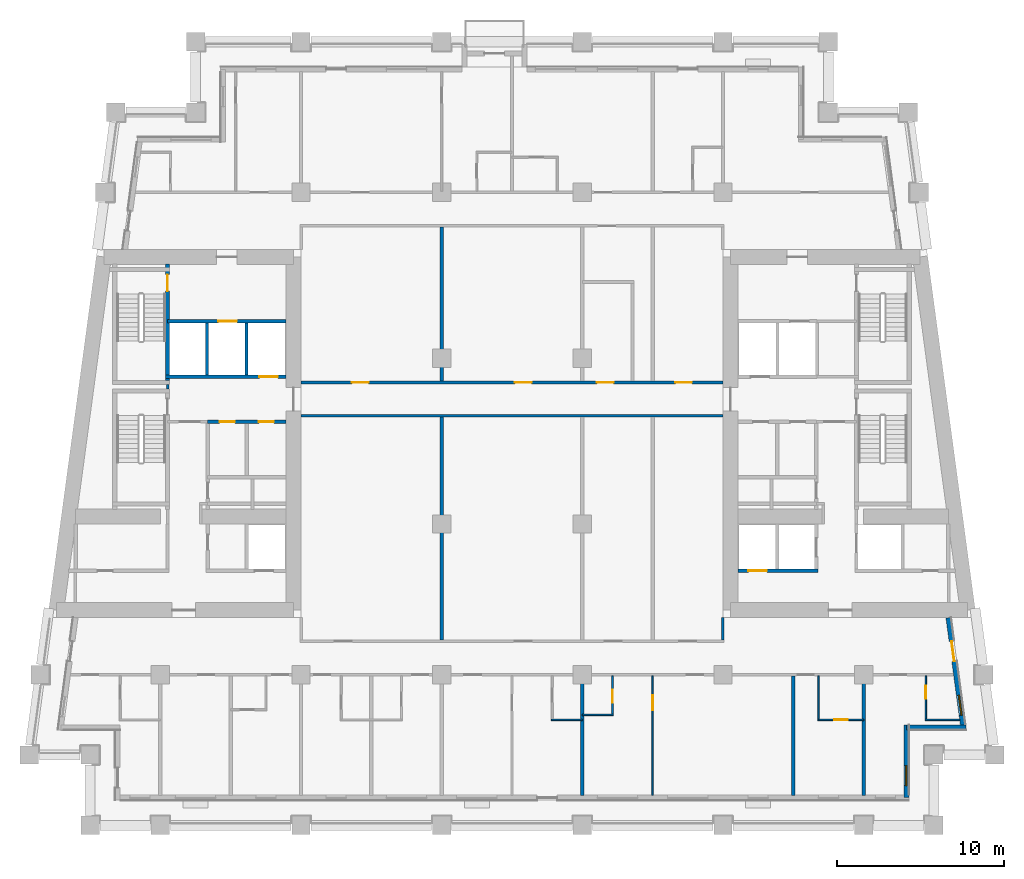
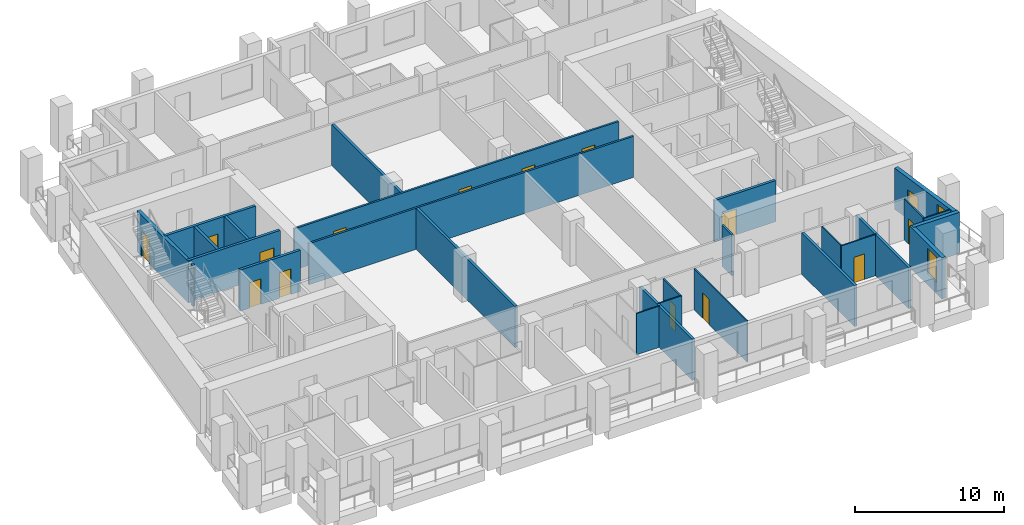
# One storey, part 4 of 12: 27 walls, 15 doors, 2 windows, 17 openings.
"""IFC4 building model written with IfcOpenShell, lengths in metres."""

from ifc_helpers import new_model, si_unit, direction, frame, frame_2d, origin, place, context, subcontext, project, spatial, rectangle, extrude, material, layer, layer_set, type_object, element, fill, save


model = new_model("IFC4")

# Units and contexts
model_context = context("Model", 3, precision=1e-05, world=origin(), true_north=direction((0.0, 1.0)))
body_context = subcontext(model_context, "Body", "Model", "MODEL_VIEW")
ifc_project = project(units=[si_unit("LENGTHUNIT", "METRE"), si_unit("AREAUNIT", "SQUARE_METRE"), si_unit("VOLUMEUNIT", "CUBIC_METRE"), si_unit("PLANEANGLEUNIT", "RADIAN"), si_unit("MASSUNIT", "GRAM", prefix="KILO")], contexts=[model_context])

# Site, building, storey
site_placement = place(None, origin())
site = spatial("IfcSite", under=ifc_project, at=site_placement, CompositionType="ELEMENT")
building_placement = place(site_placement, origin())
building = spatial("IfcBuilding", under=site, at=building_placement, Name="Candeia Pilgrim Tower and Theatre", CompositionType="ELEMENT")
storey_placement = place(building_placement, frame((0.0, 0.0, 147.800048828125)))
storey = spatial("IfcBuildingStorey", under=building, at=storey_placement, Name="L34", CompositionType="ELEMENT", Elevation=147.800048828125)

# Wall, opening, window
ifc_material_1 = material(Name="Ceramic block masonry", Category="masonry")
ifc_layer_1 = layer(ifc_material_1, 0.300048828125)
ifc_layer_set_1 = layer_set([ifc_layer_1], Name="EW1 glazing-line wall 300")
wall_type_1 = type_object("IfcWallType", Name="EW1 glazing-line wall 300", PredefinedType="SOLIDWALL", material=ifc_layer_set_1)
wall_1_placement = place(storey_placement, frame((136.949951171875, 99.64990234375, 0.0), z_axis=(0.0, 0.0, 1.0), x_axis=(0.0, 1.0, 0.0)))
wall_1 = element("IfcWall", 1, at=wall_1_placement, inside=storey, type_object=wall_type_1, Name="External wall L34-1.0", PredefinedType="SOLIDWALL", context=body_context, shape_type="SweptSolid", body=[
    extrude(rectangle(XDim=4.35009765625, YDim=0.300048828125, at=frame_2d((2.175048828125, 0.0))), origin(), (0.0, 0.0, 1.0), 3.3798828125),
])
opening_1_placement = place(wall_1_placement, frame((0.72509765625, 0.0, 0.89990234375)))
opening_1 = element("IfcOpeningElement", 2, at=opening_1_placement, cuts=wall_1, Name="Opening W-B", PredefinedType="OPENING", context=body_context, shape_type="SweptSolid", body=[
    extrude(rectangle(XDim=1.199951171875, YDim=2.10009765625, at=frame_2d((0.60009765625, 1.050048828125))), frame((0.0, 0.16015625, 0.0), z_axis=(0.0, -1.0, 0.0), x_axis=(1.0, 0.0, 0.0)), (0.0, 0.0, 1.0), 0.320068359375),
])
ifc_material_2 = material(Name="Aluminium framed double glazing", Category="aluminium")
window_type = type_object("IfcWindowType", Name="W-B window 1200x2100", PartitioningType="SINGLE_PANEL", PredefinedType="WINDOW", material=ifc_material_2)
window_1_placement = place(opening_1_placement, origin())
window_1 = element("IfcWindow", 3, at=window_1_placement, inside=storey, type_object=window_type, Name="Window W-B L34", OverallHeight=2.10009765625, OverallWidth=1.199951171875, PartitioningType="SINGLE_PANEL", PredefinedType="WINDOW", context=body_context, shape_type="SweptSolid", body=[
    extrude(rectangle(XDim=1.199951171875, YDim=2.10009765625, at=frame_2d((0.60009765625, 1.050048828125))), frame((0.0, 0.030029296875, 0.0), z_axis=(0.0, -1.0, 0.0), x_axis=(1.0, 0.0, 0.0)), (0.0, 0.0, 1.0), 0.06005859375),
])
fill(opening_1, window_1)

# Wall
wall_2_placement = place(storey_placement, frame((136.949951171875, 103.85009765625, 0.0), z_axis=(0.0, 0.0, 1.0), x_axis=(1.0, 0.0, 0.0)))
element("IfcWall", 4, at=wall_2_placement, inside=storey, type_object=wall_type_1, Name="External wall L34-2.0", PredefinedType="SOLIDWALL", context=body_context, shape_type="SweptSolid", body=[
    extrude(rectangle(XDim=3.569091796875, YDim=0.300048828125, at=frame_2d((1.78466796875, 0.0))), origin(), (0.0, 0.0, 1.0), 3.3798828125),
])

# Wall, openings, door, window
wall_3_placement = place(storey_placement, frame((140.34765625, 103.85009765625, 0.0), z_axis=(0.0, 0.0, 1.0), x_axis=(-0.133431549479, 0.991058031401, 0.0)))
wall_3 = element("IfcWall", 5, at=wall_3_placement, inside=storey, type_object=wall_type_1, Name="External wall L34-3.0", PredefinedType="SOLIDWALL", context=body_context, shape_type="SweptSolid", body=[
    extrude(rectangle(XDim=6.60888671875, YDim=0.300048828125, at=frame_2d((3.304443359375, 0.0))), origin(), (0.0, 0.0, 1.0), 3.3798828125),
])
opening_2_placement = place(wall_3_placement, frame((0.736572265625, 0.0, 0.89990234375)))
opening_2 = element("IfcOpeningElement", 6, at=opening_2_placement, cuts=wall_3, Name="Opening W-B", PredefinedType="OPENING", context=body_context, shape_type="SweptSolid", body=[
    extrude(rectangle(XDim=1.199951171875, YDim=2.10009765625, at=frame_2d((0.60009765625, 1.050048828125))), frame((0.0, 0.16015625, 0.0), z_axis=(0.0, -1.0, 0.0), x_axis=(1.0, 0.0, 0.0)), (0.0, 0.0, 1.0), 0.320068359375),
])
opening_3_placement = place(wall_3_placement, frame((3.990966796875, 0.0, 0.0)))
opening_3 = element("IfcOpeningElement", 7, at=opening_3_placement, cuts=wall_3, Name="Opening L34-ED327", PredefinedType="OPENING", context=body_context, shape_type="SweptSolid", body=[
    extrude(rectangle(XDim=1.199951171875, YDim=2.39990234375, at=frame_2d((0.60009765625, 1.199951171875))), frame((0.0, 0.16015625, 0.0), z_axis=(0.0, -1.0, 0.0), x_axis=(1.0, 0.0, 0.0)), (0.0, 0.0, 1.0), 0.320068359375),
])
ifc_material_3 = material(Name="Aluminium framed glazed door", Category="aluminium")
door_type_1 = type_object("IfcDoorType", Name="Loggia door 1200x2400", OperationType="DOUBLE_DOOR_SINGLE_SWING", PredefinedType="DOOR", material=ifc_material_3)
door_1_placement = place(opening_3_placement, origin())
door_1 = element("IfcDoor", 8, at=door_1_placement, inside=storey, type_object=door_type_1, Name="Loggia door L34-ED327", OperationType="DOUBLE_DOOR_SINGLE_SWING", OverallHeight=2.39990234375, OverallWidth=1.199951171875, PredefinedType="DOOR", context=body_context, shape_type="SweptSolid", body=[
    extrude(rectangle(XDim=1.199951171875, YDim=2.39990234375, at=frame_2d((0.60009765625, 1.199951171875))), frame((0.0, 0.02490234375, 0.0), z_axis=(0.0, -1.0, 0.0), x_axis=(1.0, 0.0, 0.0)), (0.0, 0.0, 1.0), 0.050048828125),
])
fill(opening_3, door_1)
window_2_placement = place(opening_2_placement, origin())
window_2 = element("IfcWindow", 9, at=window_2_placement, inside=storey, type_object=window_type, Name="Window W-B L34", OverallHeight=2.10009765625, OverallWidth=1.199951171875, PartitioningType="SINGLE_PANEL", PredefinedType="WINDOW", context=body_context, shape_type="SweptSolid", body=[
    extrude(rectangle(XDim=1.199951171875, YDim=2.10009765625, at=frame_2d((0.60009765625, 1.050048828125))), frame((0.0, 0.030029296875, 0.0), z_axis=(0.0, -1.0, 0.0), x_axis=(1.0, 0.0, 0.0)), (0.0, 0.0, 1.0), 0.06005859375),
])
fill(opening_2, window_2)

# Wall
ifc_material_4 = material(Name="Gypsum board partition on steel studs", Category="steel")
ifc_layer_2 = layer(ifc_material_4, 0.10009765625)
ifc_layer_set_2 = layer_set([ifc_layer_2], Name="PW-100 room partition")
wall_type_2 = type_object("IfcWallType", Name="PW-100 room partition", PredefinedType="PARTITIONING", material=ifc_layer_set_2)
wall_4_placement = place(storey_placement, frame((115.75, 104.300048828125, 0.0), z_axis=(0.0, 0.0, 1.0), x_axis=(1.0, 0.0, 0.0)))
element("IfcWall", 10, at=wall_4_placement, inside=storey, type_object=wall_type_2, Name="Room partition L34-003", PredefinedType="PARTITIONING", context=body_context, shape_type="SweptSolid", body=[
    extrude(rectangle(XDim=1.85009765625, YDim=0.10009765625, at=frame_2d((0.925048828125, 0.0))), origin(), (0.0, 0.0, 1.0), 3.3798828125),
])

# Wall, opening, door
wall_5_placement = place(storey_placement, frame((131.64990234375, 104.300048828125, 0.0), z_axis=(0.0, 0.0, 1.0), x_axis=(1.0, 0.0, 0.0)))
wall_5 = element("IfcWall", 11, at=wall_5_placement, inside=storey, type_object=wall_type_2, Name="Room partition L34-004", PredefinedType="PARTITIONING", context=body_context, shape_type="SweptSolid", body=[
    extrude(rectangle(XDim=2.75, YDim=0.10009765625, at=frame_2d((1.375, 0.0))), origin(), (0.0, 0.0, 1.0), 3.3798828125),
])
opening_4_placement = place(wall_5_placement, frame((1.0, 0.0, 0.0)))
opening_4 = element("IfcOpeningElement", 12, at=opening_4_placement, cuts=wall_5, Name="Opening L34-D032", PredefinedType="OPENING", context=body_context, shape_type="SweptSolid", body=[
    extrude(rectangle(XDim=0.800048828125, YDim=2.10009765625, at=frame_2d((0.39990234375, 1.050048828125))), frame((0.0, 0.06005859375, 0.0), z_axis=(0.0, -1.0, 0.0), x_axis=(1.0, 0.0, 0.0)), (0.0, 0.0, 1.0), 0.1201171875),
])
ifc_material_5 = material(Name="Timber door leaf", Category="wood")
door_type_2 = type_object("IfcDoorType", Name="D-800", OperationType="NOTDEFINED", PredefinedType="DOOR", material=ifc_material_5)
door_2_placement = place(opening_4_placement, origin())
door_2 = element("IfcDoor", 13, at=door_2_placement, inside=storey, type_object=door_type_2, Name="Door L34-D032", OperationType="SINGLE_SWING_RIGHT", OverallHeight=2.10009765625, OverallWidth=0.800048828125, PredefinedType="DOOR", context=body_context, shape_type="SweptSolid", body=[
    extrude(rectangle(XDim=0.800048828125, YDim=2.10009765625, at=frame_2d((0.39990234375, 1.050048828125))), frame((0.0, 0.02490234375, 0.0), z_axis=(0.0, -1.0, 0.0), x_axis=(1.0, 0.0, 0.0)), (0.0, 0.0, 1.0), 0.050048828125),
])
fill(opening_4, door_2)

# Walls
wall_6_placement = place(storey_placement, frame((138.070068359375, 104.300048828125, 0.0), z_axis=(0.0, 0.0, 1.0), x_axis=(1.0, 0.0, 0.0)))
element("IfcWall", 14, at=wall_6_placement, inside=storey, type_object=wall_type_2, Name="Room partition L34-005", PredefinedType="PARTITIONING", context=body_context, shape_type="SweptSolid", body=[
    extrude(rectangle(XDim=2.07568359375, YDim=0.10009765625, at=frame_2d((1.037841796875, 0.0))), origin(), (0.0, 0.0, 1.0), 3.3798828125),
])
wall_7_placement = place(storey_placement, frame((117.60009765625, 104.60009765625, 0.0), z_axis=(0.0, 0.0, 1.0), x_axis=(1.0, 0.0, 0.0)))
element("IfcWall", 15, at=wall_7_placement, inside=storey, type_object=wall_type_2, Name="Room partition L34-006", PredefinedType="PARTITIONING", context=body_context, shape_type="SweptSolid", body=[
    extrude(rectangle(XDim=1.849853515625, YDim=0.10009765625, at=frame_2d((0.9248046875, 0.0))), origin(), (0.0, 0.0, 1.0), 3.3798828125),
])

# Wall, opening, door
wall_8_placement = place(storey_placement, frame((119.39990234375, 104.64990234375, 0.0), z_axis=(0.0, 0.0, 1.0), x_axis=(0.0, 1.0, 0.0)))
wall_8 = element("IfcWall", 16, at=wall_8_placement, inside=storey, type_object=wall_type_2, Name="Room partition L34-089", PredefinedType="PARTITIONING", context=body_context, shape_type="SweptSolid", body=[
    extrude(rectangle(XDim=2.275146484375, YDim=0.10009765625, at=frame_2d((1.1376953125, 0.0))), origin(), (0.0, 0.0, 1.0), 3.3798828125),
])
opening_5_placement = place(wall_8_placement, frame((0.659912109375, 0.0, 0.0)))
opening_5 = element("IfcOpeningElement", 17, at=opening_5_placement, cuts=wall_8, Name="Opening L34-D030", PredefinedType="OPENING", context=body_context, shape_type="SweptSolid", body=[
    extrude(rectangle(XDim=0.800048828125, YDim=2.10009765625, at=frame_2d((0.39990234375, 1.050048828125))), frame((0.0, 0.06005859375, 0.0), z_axis=(0.0, -1.0, 0.0), x_axis=(1.0, 0.0, 0.0)), (0.0, 0.0, 1.0), 0.1201171875),
])
door_3_placement = place(opening_5_placement, origin())
door_3 = element("IfcDoor", 18, at=door_3_placement, inside=storey, type_object=door_type_2, Name="Door L34-D030", OperationType="SINGLE_SWING_RIGHT", OverallHeight=2.10009765625, OverallWidth=0.800048828125, PredefinedType="DOOR", context=body_context, shape_type="SweptSolid", body=[
    extrude(rectangle(XDim=0.800048828125, YDim=2.10009765625, at=frame_2d((0.39990234375, 1.050048828125))), frame((0.0, 0.02490234375, 0.0), z_axis=(0.0, -1.0, 0.0), x_axis=(1.0, 0.0, 0.0)), (0.0, 0.0, 1.0), 0.050048828125),
])
fill(opening_5, door_3)

wall_9_placement = place(storey_placement, frame((121.800048828125, 99.7900390625, 0.0), z_axis=(0.0, 0.0, 1.0), x_axis=(0.0, 1.0, 0.0)))
wall_9 = element("IfcWall", 19, at=wall_9_placement, inside=storey, type_object=wall_type_2, Name="Room partition L34-091", PredefinedType="PARTITIONING", context=body_context, shape_type="SweptSolid", body=[
    extrude(rectangle(XDim=7.135009765625, YDim=0.10009765625, at=frame_2d((3.5673828125, 0.0))), origin(), (0.0, 0.0, 1.0), 3.3798828125),
])
opening_6_placement = place(wall_9_placement, frame((5.074951171875, 0.0, 0.0)))
opening_6 = element("IfcOpeningElement", 20, at=opening_6_placement, cuts=wall_9, Name="Opening L34-D029", PredefinedType="OPENING", context=body_context, shape_type="SweptSolid", body=[
    extrude(rectangle(XDim=0.89990234375, YDim=2.10009765625, at=frame_2d((0.449951171875, 1.050048828125))), frame((0.0, 0.06005859375, 0.0), z_axis=(0.0, -1.0, 0.0), x_axis=(1.0, 0.0, 0.0)), (0.0, 0.0, 1.0), 0.1201171875),
])
door_type_3 = type_object("IfcDoorType", Name="D-900", OperationType="NOTDEFINED", PredefinedType="DOOR", material=ifc_material_5)
door_4_placement = place(opening_6_placement, origin())
door_4 = element("IfcDoor", 21, at=door_4_placement, inside=storey, type_object=door_type_3, Name="Door L34-D029", OperationType="SINGLE_SWING_LEFT", OverallHeight=2.10009765625, OverallWidth=0.89990234375, PredefinedType="DOOR", context=body_context, shape_type="SweptSolid", body=[
    extrude(rectangle(XDim=0.89990234375, YDim=2.10009765625, at=frame_2d((0.449951171875, 1.050048828125))), frame((0.0, 0.02490234375, 0.0), z_axis=(0.0, -1.0, 0.0), x_axis=(1.0, 0.0, 0.0)), (0.0, 0.0, 1.0), 0.050048828125),
])
fill(opening_6, door_4)

# Wall
wall_10_placement = place(storey_placement, frame((131.699951171875, 104.35009765625, 0.0), z_axis=(0.0, 0.0, 1.0), x_axis=(0.0, 1.0, 0.0)))
element("IfcWall", 22, at=wall_10_placement, inside=storey, type_object=wall_type_2, Name="Room partition L34-107", PredefinedType="PARTITIONING", context=body_context, shape_type="SweptSolid", body=[
    extrude(rectangle(XDim=2.574951171875, YDim=0.10009765625, at=frame_2d((1.28759765625, 0.0))), origin(), (0.0, 0.0, 1.0), 3.3798828125),
])

# Wall, opening, door
wall_11_placement = place(storey_placement, frame((138.1201171875, 104.35009765625, 0.0), z_axis=(0.0, 0.0, 1.0), x_axis=(0.0, 1.0, 0.0)))
wall_11 = element("IfcWall", 23, at=wall_11_placement, inside=storey, type_object=wall_type_2, Name="Room partition L34-118", PredefinedType="PARTITIONING", context=body_context, shape_type="SweptSolid", body=[
    extrude(rectangle(XDim=2.574951171875, YDim=0.10009765625, at=frame_2d((1.28759765625, 0.0))), origin(), (0.0, 0.0, 1.0), 3.3798828125),
])
opening_7_placement = place(wall_11_placement, frame((1.199951171875, 0.0, 0.0)))
opening_7 = element("IfcOpeningElement", 24, at=opening_7_placement, cuts=wall_11, Name="Opening L34-D034", PredefinedType="OPENING", context=body_context, shape_type="SweptSolid", body=[
    extrude(rectangle(XDim=0.800048828125, YDim=2.10009765625, at=frame_2d((0.39990234375, 1.050048828125))), frame((0.0, 0.06005859375, 0.0), z_axis=(0.0, -1.0, 0.0), x_axis=(1.0, 0.0, 0.0)), (0.0, 0.0, 1.0), 0.1201171875),
])
door_5_placement = place(opening_7_placement, origin())
door_5 = element("IfcDoor", 25, at=door_5_placement, inside=storey, type_object=door_type_2, Name="Door L34-D034", OperationType="SINGLE_SWING_RIGHT", OverallHeight=2.10009765625, OverallWidth=0.800048828125, PredefinedType="DOOR", context=body_context, shape_type="SweptSolid", body=[
    extrude(rectangle(XDim=0.800048828125, YDim=2.10009765625, at=frame_2d((0.39990234375, 1.050048828125))), frame((0.0, 0.02490234375, 0.0), z_axis=(0.0, -1.0, 0.0), x_axis=(1.0, 0.0, 0.0)), (0.0, 0.0, 1.0), 0.050048828125),
])
fill(opening_7, door_5)

# Walls
ifc_layer_3 = layer(ifc_material_4, 0.14990234375)
ifc_layer_set_3 = layer_set([ifc_layer_3], Name="PW-150 lobby wall")
wall_type_3 = type_object("IfcWallType", Name="PW-150 lobby wall", PredefinedType="PARTITIONING", material=ifc_layer_set_3)
wall_12_placement = place(storey_placement, frame((92.826904296875, 124.074951171875, 0.0), z_axis=(0.0, 0.0, 1.0), x_axis=(0.0, 1.0, 0.0)))
element("IfcWall", 26, at=wall_12_placement, inside=storey, type_object=wall_type_3, Name="Lobby wall L34-055", PredefinedType="PARTITIONING", context=body_context, shape_type="SweptSolid", body=[
    extrude(rectangle(XDim=0.25, YDim=0.14990234375, at=frame_2d((0.125, 0.0))), origin(), (0.0, 0.0, 1.0), 3.3798828125),
])
ifc_layer_4 = layer(ifc_material_4, 0.14990234375)
ifc_layer_set_4 = layer_set([ifc_layer_4], Name="PW-150 unit wall")
wall_type_4 = type_object("IfcWallType", Name="PW-150 unit wall", PredefinedType="PARTITIONING", material=ifc_layer_set_4)
wall_13_placement = place(storey_placement, frame((100.800048828125, 122.449951171875, 0.0), z_axis=(0.0, 0.0, 1.0), x_axis=(1.0, 0.0, 0.0)))
element("IfcWall", 27, at=wall_13_placement, inside=storey, type_object=wall_type_4, Name="Unit wall L34-026", PredefinedType="PARTITIONING", context=body_context, shape_type="SweptSolid", body=[
    extrude(rectangle(XDim=25.199951171875, YDim=0.14990234375, at=frame_2d((12.60009765625, 0.0))), origin(), (0.0, 0.0, 1.0), 3.3798828125),
])

# Wall, openings, doors
wall_14_placement = place(storey_placement, frame((100.800048828125, 124.449951171875, 0.0), z_axis=(0.0, 0.0, 1.0), x_axis=(1.0, 0.0, 0.0)))
wall_14 = element("IfcWall", 28, at=wall_14_placement, inside=storey, type_object=wall_type_4, Name="Unit wall L34-031", PredefinedType="PARTITIONING", context=body_context, shape_type="SweptSolid", body=[
    extrude(rectangle(XDim=25.199951171875, YDim=0.14990234375, at=frame_2d((12.60009765625, 0.0))), origin(), (0.0, 0.0, 1.0), 3.3798828125),
])
opening_8_placement = place(wall_14_placement, frame((3.030029296875, 0.0, 0.0)))
opening_8 = element("IfcOpeningElement", 29, at=opening_8_placement, cuts=wall_14, Name="Opening L34-D051", PredefinedType="OPENING", context=body_context, shape_type="SweptSolid", body=[
    extrude(rectangle(XDim=1.0, YDim=2.10009765625, at=frame_2d((0.5, 1.050048828125))), frame((0.0, 0.0849609375, 0.0), z_axis=(0.0, -1.0, 0.0), x_axis=(1.0, 0.0, 0.0)), (0.0, 0.0, 1.0), 0.169921875),
])
opening_9_placement = place(wall_14_placement, frame((12.77001953125, 0.0, 0.0)))
opening_9 = element("IfcOpeningElement", 30, at=opening_9_placement, cuts=wall_14, Name="Opening L34-D052", PredefinedType="OPENING", context=body_context, shape_type="SweptSolid", body=[
    extrude(rectangle(XDim=1.0, YDim=2.10009765625, at=frame_2d((0.5, 1.050048828125))), frame((0.0, 0.0849609375, 0.0), z_axis=(0.0, -1.0, 0.0), x_axis=(1.0, 0.0, 0.0)), (0.0, 0.0, 1.0), 0.169921875),
])
opening_10_placement = place(wall_14_placement, frame((17.669921875, 0.0, 0.0)))
opening_10 = element("IfcOpeningElement", 31, at=opening_10_placement, cuts=wall_14, Name="Opening L34-D053", PredefinedType="OPENING", context=body_context, shape_type="SweptSolid", body=[
    extrude(rectangle(XDim=1.0, YDim=2.10009765625, at=frame_2d((0.5, 1.050048828125))), frame((0.0, 0.0849609375, 0.0), z_axis=(0.0, -1.0, 0.0), x_axis=(1.0, 0.0, 0.0)), (0.0, 0.0, 1.0), 0.169921875),
])
opening_11_placement = place(wall_14_placement, frame((22.35009765625, 0.0, 0.0)))
opening_11 = element("IfcOpeningElement", 32, at=opening_11_placement, cuts=wall_14, Name="Opening L34-D054", PredefinedType="OPENING", context=body_context, shape_type="SweptSolid", body=[
    extrude(rectangle(XDim=1.0, YDim=2.10009765625, at=frame_2d((0.5, 1.050048828125))), frame((0.0, 0.0849609375, 0.0), z_axis=(0.0, -1.0, 0.0), x_axis=(1.0, 0.0, 0.0)), (0.0, 0.0, 1.0), 0.169921875),
])
ifc_material_6 = material(Name="Steel fire door set", Category="steel")
door_type_4 = type_object("IfcDoorType", Name="D-1000-FD30S", OperationType="NOTDEFINED", PredefinedType="DOOR", material=ifc_material_6)
door_6_placement = place(opening_8_placement, origin())
door_6 = element("IfcDoor", 33, at=door_6_placement, inside=storey, type_object=door_type_4, Name="Door L34-D051", OperationType="SINGLE_SWING_LEFT", OverallHeight=2.10009765625, OverallWidth=1.0, PredefinedType="DOOR", context=body_context, shape_type="SweptSolid", body=[
    extrude(rectangle(XDim=1.0, YDim=2.10009765625, at=frame_2d((0.5, 1.050048828125))), frame((0.0, 0.02490234375, 0.0), z_axis=(0.0, -1.0, 0.0), x_axis=(1.0, 0.0, 0.0)), (0.0, 0.0, 1.0), 0.050048828125),
])
fill(opening_8, door_6)
door_7_placement = place(opening_9_placement, origin())
door_7 = element("IfcDoor", 34, at=door_7_placement, inside=storey, type_object=door_type_4, Name="Door L34-D052", OperationType="SINGLE_SWING_RIGHT", OverallHeight=2.10009765625, OverallWidth=1.0, PredefinedType="DOOR", context=body_context, shape_type="SweptSolid", body=[
    extrude(rectangle(XDim=1.0, YDim=2.10009765625, at=frame_2d((0.5, 1.050048828125))), frame((0.0, 0.02490234375, 0.0), z_axis=(0.0, -1.0, 0.0), x_axis=(1.0, 0.0, 0.0)), (0.0, 0.0, 1.0), 0.050048828125),
])
fill(opening_9, door_7)
door_8_placement = place(opening_10_placement, origin())
door_8 = element("IfcDoor", 35, at=door_8_placement, inside=storey, type_object=door_type_4, Name="Door L34-D053", OperationType="SINGLE_SWING_LEFT", OverallHeight=2.10009765625, OverallWidth=1.0, PredefinedType="DOOR", context=body_context, shape_type="SweptSolid", body=[
    extrude(rectangle(XDim=1.0, YDim=2.10009765625, at=frame_2d((0.5, 1.050048828125))), frame((0.0, 0.02490234375, 0.0), z_axis=(0.0, -1.0, 0.0), x_axis=(1.0, 0.0, 0.0)), (0.0, 0.0, 1.0), 0.050048828125),
])
fill(opening_10, door_8)
door_9_placement = place(opening_11_placement, origin())
door_9 = element("IfcDoor", 36, at=door_9_placement, inside=storey, type_object=door_type_4, Name="Door L34-D054", OperationType="SINGLE_SWING_RIGHT", OverallHeight=2.10009765625, OverallWidth=1.0, PredefinedType="DOOR", context=body_context, shape_type="SweptSolid", body=[
    extrude(rectangle(XDim=1.0, YDim=2.10009765625, at=frame_2d((0.5, 1.050048828125))), frame((0.0, 0.02490234375, 0.0), z_axis=(0.0, -1.0, 0.0), x_axis=(1.0, 0.0, 0.0)), (0.0, 0.0, 1.0), 0.050048828125),
])
fill(opening_11, door_9)

# Walls
wall_15_placement = place(storey_placement, frame((126.0, 109.074951171875, 0.0), z_axis=(0.0, 0.0, 1.0), x_axis=(0.0, 1.0, 0.0)))
element("IfcWall", 37, at=wall_15_placement, inside=storey, type_object=wall_type_4, Name="Unit wall L34-097", PredefinedType="PARTITIONING", context=body_context, shape_type="SweptSolid", body=[
    extrude(rectangle(XDim=1.324951171875, YDim=0.14990234375, at=frame_2d((0.66259765625, 0.0))), origin(), (0.0, 0.0, 1.0), 3.3798828125),
])
ifc_layer_5 = layer(ifc_material_4, 0.199951171875)
ifc_layer_set_5 = layer_set([ifc_layer_5], Name="PW-200 party wall")
wall_type_5 = type_object("IfcWallType", Name="PW-200 party wall", PredefinedType="PARTITIONING", material=ifc_layer_set_5)
wall_16_placement = place(storey_placement, frame((109.199951171875, 109.074951171875, 0.0), z_axis=(0.0, 0.0, 1.0), x_axis=(0.0, 1.0, 0.0)))
element("IfcWall", 38, at=wall_16_placement, inside=storey, type_object=wall_type_5, Name="Party wall L34-079", PredefinedType="PARTITIONING", context=body_context, shape_type="SweptSolid", body=[
    extrude(rectangle(XDim=13.300048828125, YDim=0.199951171875, at=frame_2d((6.64990234375, 0.0))), origin(), (0.0, 0.0, 1.0), 3.3798828125),
])
wall_17_placement = place(storey_placement, frame((109.199951171875, 124.52490234375, 0.0), z_axis=(0.0, 0.0, 1.0), x_axis=(0.0, 1.0, 0.0)))
element("IfcWall", 39, at=wall_17_placement, inside=storey, type_object=wall_type_5, Name="Party wall L34-080", PredefinedType="PARTITIONING", context=body_context, shape_type="SweptSolid", body=[
    extrude(rectangle(XDim=9.2001953125, YDim=0.199951171875, at=frame_2d((4.60009765625, 0.0))), origin(), (0.0, 0.0, 1.0), 3.3798828125),
])
for number, where, z_axis, x_axis, name in (
    (40, (117.60009765625, 99.7900390625, 0.0), (0.0, 0.0, 1.0), (0.0, 1.0, 0.0), "Party wall L34-086"),
    (41, (130.199951171875, 99.7900390625, 0.0), (0.0, 0.0, 1.0), (0.0, 1.0, 0.0), "Party wall L34-103"),
    (42, (134.39990234375, 99.7900390625, 0.0), (0.0, 0.0, 1.0), (0.0, 1.0, 0.0), "Party wall L34-114"),
):
    element("IfcWall", number, at=place(storey_placement, frame(where, z_axis=z_axis, x_axis=x_axis)), inside=storey, type_object=wall_type_5, Name=name, PredefinedType="PARTITIONING", context=body_context, shape_type="SweptSolid", body=[
        extrude(rectangle(XDim=7.135009765625, YDim=0.199951171875, at=frame_2d((3.5673828125, 0.0))), origin(), (0.0, 0.0, 1.0), 3.3798828125),
    ])

# Wall, opening, door
ifc_material_7 = material(Name="Concrete C40/50", Category="concrete")
ifc_layer_6 = layer(ifc_material_7, 0.199951171875)
ifc_layer_set_6 = layer_set([ifc_layer_6], Name="SW-200 shaft wall")
wall_type_6 = type_object("IfcWallType", Name="SW-200 shaft wall", PredefinedType="PARTITIONING", material=ifc_layer_set_6)
wall_18_placement = place(storey_placement, frame((126.89990234375, 113.199951171875, 0.0), z_axis=(0.0, 0.0, 1.0), x_axis=(1.0, 0.0, 0.0)))
wall_18 = element("IfcWall", 43, at=wall_18_placement, inside=storey, type_object=wall_type_6, Name="Shaft wall L34-012", PredefinedType="PARTITIONING", context=body_context, shape_type="SweptSolid", body=[
    extrude(rectangle(XDim=4.773193359375, YDim=0.199951171875, at=frame_2d((2.38671875, 0.0))), origin(), (0.0, 0.0, 1.0), 3.3798828125),
])
opening_12_placement = place(wall_18_placement, frame((0.617919921875, 0.0, 0.0)))
opening_12 = element("IfcOpeningElement", 44, at=opening_12_placement, cuts=wall_18, Name="Opening L34-LD08", PredefinedType="OPENING", context=body_context, shape_type="SweptSolid", body=[
    extrude(rectangle(XDim=1.10009765625, YDim=2.10009765625, at=frame_2d((0.550048828125, 1.050048828125))), frame((0.0, 0.10986328125, 0.0), z_axis=(0.0, -1.0, 0.0), x_axis=(1.0, 0.0, 0.0)), (0.0, 0.0, 1.0), 0.219970703125),
])
ifc_material_8 = material(Name="Glazed aluminium landing door", Category="aluminium")
door_type_5 = type_object("IfcDoorType", Name="LD-1100-EI120", OperationType="SLIDING_TO_LEFT", PredefinedType="DOOR", material=ifc_material_8)
door_10_placement = place(opening_12_placement, origin())
door_10 = element("IfcDoor", 45, at=door_10_placement, inside=storey, type_object=door_type_5, Name="Landing door 08 L34", OperationType="SLIDING_TO_LEFT", OverallHeight=2.10009765625, OverallWidth=1.10009765625, PredefinedType="DOOR", context=body_context, shape_type="SweptSolid", body=[
    extrude(rectangle(XDim=1.10009765625, YDim=2.10009765625, at=frame_2d((0.550048828125, 1.050048828125))), frame((0.0, 0.02490234375, 0.0), z_axis=(0.0, -1.0, 0.0), x_axis=(1.0, 0.0, 0.0)), (0.0, 0.0, 1.0), 0.050048828125),
])
fill(opening_12, door_10)

# Wall, openings, doors
wall_19_placement = place(storey_placement, frame((95.22705078125, 122.10009765625, 0.0), z_axis=(0.0, 0.0, 1.0), x_axis=(1.0, 0.0, 0.0)))
wall_19 = element("IfcWall", 46, at=wall_19_placement, inside=storey, type_object=wall_type_6, Name="Shaft wall L34-022", PredefinedType="PARTITIONING", context=body_context, shape_type="SweptSolid", body=[
    extrude(rectangle(XDim=4.6728515625, YDim=0.199951171875, at=frame_2d((2.33642578125, 0.0))), origin(), (0.0, 0.0, 1.0), 3.3798828125),
])
opening_13_placement = place(wall_19_placement, frame((0.718017578125, 0.0, 0.0)))
opening_13 = element("IfcOpeningElement", 47, at=opening_13_placement, cuts=wall_19, Name="Opening L34-D002", PredefinedType="OPENING", context=body_context, shape_type="SweptSolid", body=[
    extrude(rectangle(XDim=0.89990234375, YDim=2.10009765625, at=frame_2d((0.449951171875, 1.050048828125))), frame((0.0, 0.10986328125, 0.0), z_axis=(0.0, -1.0, 0.0), x_axis=(1.0, 0.0, 0.0)), (0.0, 0.0, 1.0), 0.219970703125),
])
opening_14_placement = place(wall_19_placement, frame((3.054931640625, 0.0, 0.0)))
opening_14 = element("IfcOpeningElement", 48, at=opening_14_placement, cuts=wall_19, Name="Opening L34-D003", PredefinedType="OPENING", context=body_context, shape_type="SweptSolid", body=[
    extrude(rectangle(XDim=0.89990234375, YDim=2.10009765625, at=frame_2d((0.449951171875, 1.050048828125))), frame((0.0, 0.10986328125, 0.0), z_axis=(0.0, -1.0, 0.0), x_axis=(1.0, 0.0, 0.0)), (0.0, 0.0, 1.0), 0.219970703125),
])
door_type_6 = type_object("IfcDoorType", Name="D-900-FD60", OperationType="NOTDEFINED", PredefinedType="DOOR", material=ifc_material_6)
door_11_placement = place(opening_13_placement, origin())
door_11 = element("IfcDoor", 49, at=door_11_placement, inside=storey, type_object=door_type_6, Name="Door L34-D002", OperationType="SINGLE_SWING_RIGHT", OverallHeight=2.10009765625, OverallWidth=0.89990234375, PredefinedType="DOOR", context=body_context, shape_type="SweptSolid", body=[
    extrude(rectangle(XDim=0.89990234375, YDim=2.10009765625, at=frame_2d((0.449951171875, 1.050048828125))), frame((0.0, 0.02490234375, 0.0), z_axis=(0.0, -1.0, 0.0), x_axis=(1.0, 0.0, 0.0)), (0.0, 0.0, 1.0), 0.050048828125),
])
fill(opening_13, door_11)
door_12_placement = place(opening_14_placement, origin())
door_12 = element("IfcDoor", 50, at=door_12_placement, inside=storey, type_object=door_type_6, Name="Door L34-D003", OperationType="SINGLE_SWING_LEFT", OverallHeight=2.10009765625, OverallWidth=0.89990234375, PredefinedType="DOOR", context=body_context, shape_type="SweptSolid", body=[
    extrude(rectangle(XDim=0.89990234375, YDim=2.10009765625, at=frame_2d((0.449951171875, 1.050048828125))), frame((0.0, 0.02490234375, 0.0), z_axis=(0.0, -1.0, 0.0), x_axis=(1.0, 0.0, 0.0)), (0.0, 0.0, 1.0), 0.050048828125),
])
fill(opening_14, door_12)

# Wall, opening, door
wall_20_placement = place(storey_placement, frame((92.701904296875, 124.800048828125, 0.0), z_axis=(0.0, 0.0, 1.0), x_axis=(1.0, 0.0, 0.0)))
wall_20 = element("IfcWall", 51, at=wall_20_placement, inside=storey, type_object=wall_type_6, Name="Shaft wall L34-032", PredefinedType="PARTITIONING", context=body_context, shape_type="SweptSolid", body=[
    extrude(rectangle(XDim=7.197998046875, YDim=0.199951171875, at=frame_2d((3.59912109375, 0.0))), origin(), (0.0, 0.0, 1.0), 3.3798828125),
])
opening_15_placement = place(wall_20_placement, frame((5.60888671875, 0.0, 0.0)))
opening_15 = element("IfcOpeningElement", 52, at=opening_15_placement, cuts=wall_20, Name="Opening L34-LD02", PredefinedType="OPENING", context=body_context, shape_type="SweptSolid", body=[
    extrude(rectangle(XDim=1.10009765625, YDim=2.10009765625, at=frame_2d((0.550048828125, 1.050048828125))), frame((0.0, 0.10986328125, 0.0), z_axis=(0.0, -1.0, 0.0), x_axis=(1.0, 0.0, 0.0)), (0.0, 0.0, 1.0), 0.219970703125),
])
door_13_placement = place(opening_15_placement, origin())
door_13 = element("IfcDoor", 53, at=door_13_placement, inside=storey, type_object=door_type_5, Name="Landing door 02 L34", OperationType="SLIDING_TO_LEFT", OverallHeight=2.10009765625, OverallWidth=1.10009765625, PredefinedType="DOOR", context=body_context, shape_type="SweptSolid", body=[
    extrude(rectangle(XDim=1.10009765625, YDim=2.10009765625, at=frame_2d((0.550048828125, 1.050048828125))), frame((0.0, 0.02490234375, 0.0), z_axis=(0.0, -1.0, 0.0), x_axis=(1.0, 0.0, 0.0)), (0.0, 0.0, 1.0), 0.050048828125),
])
fill(opening_15, door_13)

wall_21_placement = place(storey_placement, frame((92.826904296875, 128.10009765625, 0.0), z_axis=(0.0, 0.0, 1.0), x_axis=(1.0, 0.0, 0.0)))
wall_21 = element("IfcWall", 54, at=wall_21_placement, inside=storey, type_object=wall_type_6, Name="Shaft wall L34-035", PredefinedType="PARTITIONING", context=body_context, shape_type="SweptSolid", body=[
    extrude(rectangle(XDim=7.072998046875, YDim=0.199951171875, at=frame_2d((3.53662109375, 0.0))), origin(), (0.0, 0.0, 1.0), 3.3798828125),
])
opening_16_placement = place(wall_21_placement, frame((3.0419921875, 0.0, 0.0)))
opening_16 = element("IfcOpeningElement", 55, at=opening_16_placement, cuts=wall_21, Name="Opening L34-LD01", PredefinedType="OPENING", context=body_context, shape_type="SweptSolid", body=[
    extrude(rectangle(XDim=1.10009765625, YDim=2.10009765625, at=frame_2d((0.550048828125, 1.050048828125))), frame((0.0, 0.10986328125, 0.0), z_axis=(0.0, -1.0, 0.0), x_axis=(1.0, 0.0, 0.0)), (0.0, 0.0, 1.0), 0.219970703125),
])
door_14_placement = place(opening_16_placement, origin())
door_14 = element("IfcDoor", 56, at=door_14_placement, inside=storey, type_object=door_type_5, Name="Landing door 01 L34", OperationType="SLIDING_TO_LEFT", OverallHeight=2.10009765625, OverallWidth=1.10009765625, PredefinedType="DOOR", context=body_context, shape_type="SweptSolid", body=[
    extrude(rectangle(XDim=1.10009765625, YDim=2.10009765625, at=frame_2d((0.550048828125, 1.050048828125))), frame((0.0, 0.02490234375, 0.0), z_axis=(0.0, -1.0, 0.0), x_axis=(1.0, 0.0, 0.0)), (0.0, 0.0, 1.0), 0.050048828125),
])
fill(opening_16, door_14)

# Walls
for number, where, z_axis, x_axis, name in (
    (57, (95.184814453125, 124.89990234375, 0.0), (0.0, 0.0, 1.0), (0.0, 1.0, 0.0), "Shaft wall L34-060"),
    (58, (97.542236328125, 124.89990234375, 0.0), (0.0, 0.0, 1.0), (0.0, 1.0, 0.0), "Shaft wall L34-065"),
):
    element("IfcWall", number, at=place(storey_placement, frame(where, z_axis=z_axis, x_axis=x_axis)), inside=storey, type_object=wall_type_6, Name=name, PredefinedType="PARTITIONING", context=body_context, shape_type="SweptSolid", body=[
        extrude(rectangle(XDim=3.10009765625, YDim=0.199951171875, at=frame_2d((1.550048828125, 0.0))), origin(), (0.0, 0.0, 1.0), 3.3798828125),
    ])

# Wall, opening, door
ifc_layer_7 = layer(ifc_material_7, 0.25)
ifc_layer_set_7 = layer_set([ifc_layer_7], Name="SW-250 stair wall")
wall_type_7 = type_object("IfcWallType", Name="SW-250 stair wall", PredefinedType="PARTITIONING", material=ifc_layer_set_7)
wall_22_placement = place(storey_placement, frame((92.826904296875, 124.574951171875, 0.0), z_axis=(0.0, 0.0, 1.0), x_axis=(0.0, 1.0, 0.0)))
wall_22 = element("IfcWall", 59, at=wall_22_placement, inside=storey, type_object=wall_type_7, Name="Stair wall L34-057", PredefinedType="PARTITIONING", context=body_context, shape_type="SweptSolid", body=[
    extrude(rectangle(XDim=6.955078125, YDim=0.25, at=frame_2d((3.4775390625, 0.0))), origin(), (0.0, 0.0, 1.0), 3.3798828125),
])
opening_17_placement = place(wall_22_placement, frame((5.324951171875, 0.0, 0.0)))
opening_17 = element("IfcOpeningElement", 60, at=opening_17_placement, cuts=wall_22, Name="Opening L34-D005", PredefinedType="OPENING", context=body_context, shape_type="SweptSolid", body=[
    extrude(rectangle(XDim=1.0, YDim=2.10009765625, at=frame_2d((0.5, 1.050048828125))), frame((0.0, 0.135009765625, 0.0), z_axis=(0.0, -1.0, 0.0), x_axis=(1.0, 0.0, 0.0)), (0.0, 0.0, 1.0), 0.27001953125),
])
door_type_7 = type_object("IfcDoorType", Name="D-1000-FD60", OperationType="NOTDEFINED", PredefinedType="DOOR", material=ifc_material_6)
door_15_placement = place(opening_17_placement, origin())
door_15 = element("IfcDoor", 61, at=door_15_placement, inside=storey, type_object=door_type_7, Name="Door L34-D005", OperationType="SINGLE_SWING_LEFT", OverallHeight=2.10009765625, OverallWidth=1.0, PredefinedType="DOOR", context=body_context, shape_type="SweptSolid", body=[
    extrude(rectangle(XDim=1.0, YDim=2.10009765625, at=frame_2d((0.5, 1.050048828125))), frame((0.0, 0.02490234375, 0.0), z_axis=(0.0, -1.0, 0.0), x_axis=(1.0, 0.0, 0.0)), (0.0, 0.0, 1.0), 0.050048828125),
])
fill(opening_17, door_15)

save(model, "model.ifc")
